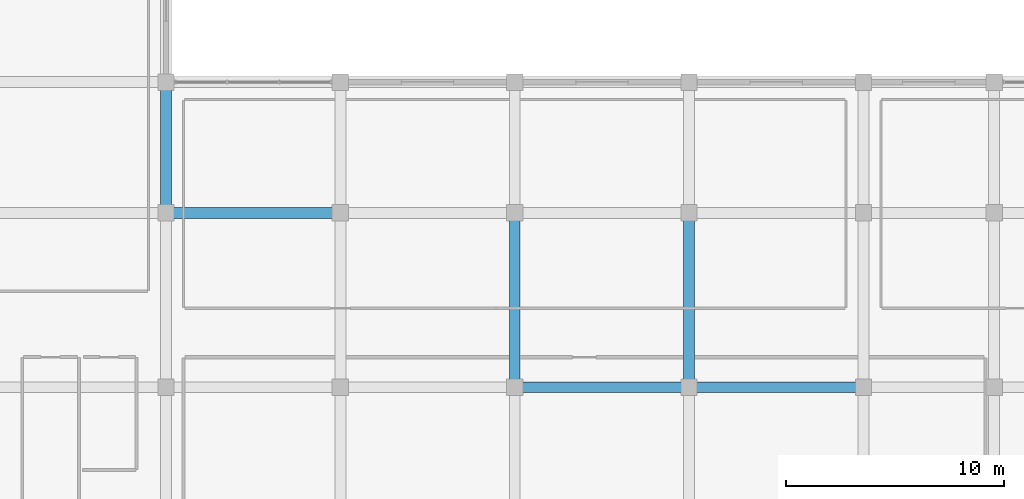
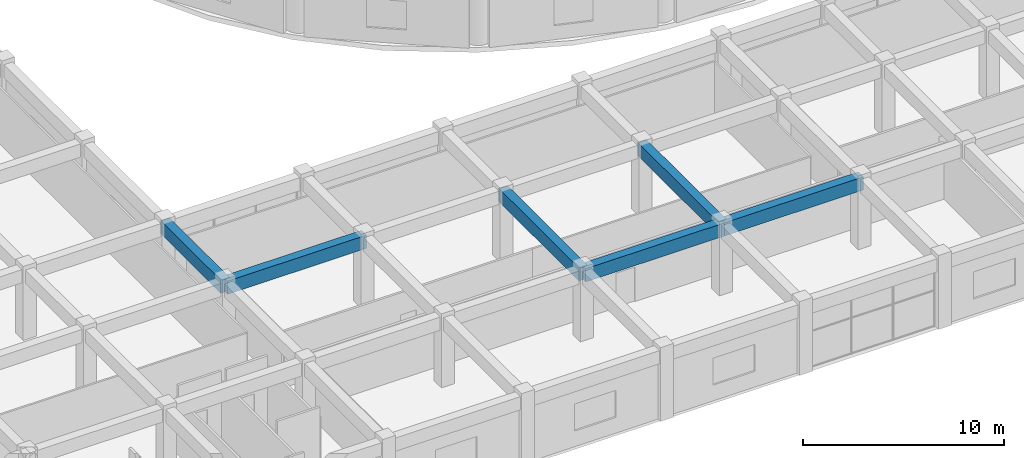
# One storey, part 9 of 53: 6 beams.
"""IFC4 building model written with IfcOpenShell, lengths in metres."""

from ifc_helpers import new_model, si_unit, direction, frame, origin, origin_2d, place, context, subcontext, project, spatial, rectangle, extrude, material, material_profile, profile_set, type_object, element, save


model = new_model("IFC4")

# Units and contexts
model_context = context("Model", 3, precision=1e-05, world=origin(), true_north=direction((0.0, 1.0)))
body_context = subcontext(model_context, "Body", "Model", "MODEL_VIEW")
ifc_project = project(units=[si_unit("LENGTHUNIT", "METRE"), si_unit("AREAUNIT", "SQUARE_METRE"), si_unit("VOLUMEUNIT", "CUBIC_METRE"), si_unit("PLANEANGLEUNIT", "RADIAN"), si_unit("MASSUNIT", "GRAM", prefix="KILO")], contexts=[model_context])

# Site, building, storey
site_placement = place(None, origin())
site = spatial("IfcSite", under=ifc_project, at=site_placement, CompositionType="ELEMENT")
building_placement = place(site_placement, origin())
building = spatial("IfcBuilding", under=site, at=building_placement, Name="Kelanora Arch Commons", CompositionType="ELEMENT")
storey_placement = place(building_placement, frame((0.0, 0.0, 9.0)))
storey = spatial("IfcBuildingStorey", under=building, at=storey_placement, Name="L02", CompositionType="ELEMENT", Elevation=9.0)

# Beams
ifc_material = material(Name="Concrete C40/50", Category="concrete")
ifc_material_profile = material_profile(ifc_material, rectangle(XDim=0.5, YDim=0.800048828125, at=origin_2d()), Name="RCB500x800")
ifc_profile_set = profile_set([ifc_material_profile], Name="Concrete C40/50")
beam_type = type_object("IfcBeamType", Name="BM-MKT-RC1", PredefinedType="BEAM", material=ifc_profile_set)
beam_1_placement = place(storey_placement, frame((36.0, 20.0, 3.840087890625), z_axis=(1.0, 0.0, 0.0), x_axis=(0.0, 1.0, 0.0)))
element("IfcBeam", 1, at=beam_1_placement, inside=storey, type_object=beam_type, Name="Market/Basement Frame Beam 084 L02", PredefinedType="BEAM", context=body_context, shape_type="SweptSolid", body=[
    extrude(rectangle(XDim=0.5, YDim=0.800048828125, at=origin_2d()), origin(), (0.0, 0.0, 1.0), 8.0),
])
beam_2_placement = place(storey_placement, frame((36.0, 20.0, 3.840087890625), z_axis=(0.0, 1.0, 0.0), x_axis=(-1.0, 0.0, 0.0)))
element("IfcBeam", 2, at=beam_2_placement, inside=storey, type_object=beam_type, Name="Market/Basement Frame Beam 085 L02", PredefinedType="BEAM", context=body_context, shape_type="SweptSolid", body=[
    extrude(rectangle(XDim=0.5, YDim=0.800048828125, at=origin_2d()), origin(), (0.0, 0.0, 1.0), 6.0),
])
for number, where, z_axis, x_axis, name in (
    (3, (52.0, 12.0, 3.840087890625), (1.0, 0.0, 0.0), (0.0, 1.0, 0.0), "Market/Basement Frame Beam 103 L02"),
    (4, (52.0, 12.0, 3.840087890625), (0.0, 1.0, 0.0), (-1.0, 0.0, 0.0), "Market/Basement Frame Beam 104 L02"),
    (5, (60.0, 12.0, 3.840087890625), (1.0, 0.0, 0.0), (0.0, 1.0, 0.0), "Market/Basement Frame Beam 110 L02"),
    (6, (60.0, 12.0, 3.840087890625), (0.0, 1.0, 0.0), (-1.0, 0.0, 0.0), "Market/Basement Frame Beam 111 L02"),
):
    element("IfcBeam", number, at=place(storey_placement, frame(where, z_axis=z_axis, x_axis=x_axis)), inside=storey, type_object=beam_type, Name=name, PredefinedType="BEAM", context=body_context, shape_type="SweptSolid", body=[
        extrude(rectangle(XDim=0.5, YDim=0.800048828125, at=origin_2d()), origin(), (0.0, 0.0, 1.0), 8.0),
    ])

save(model, "model.ifc")
